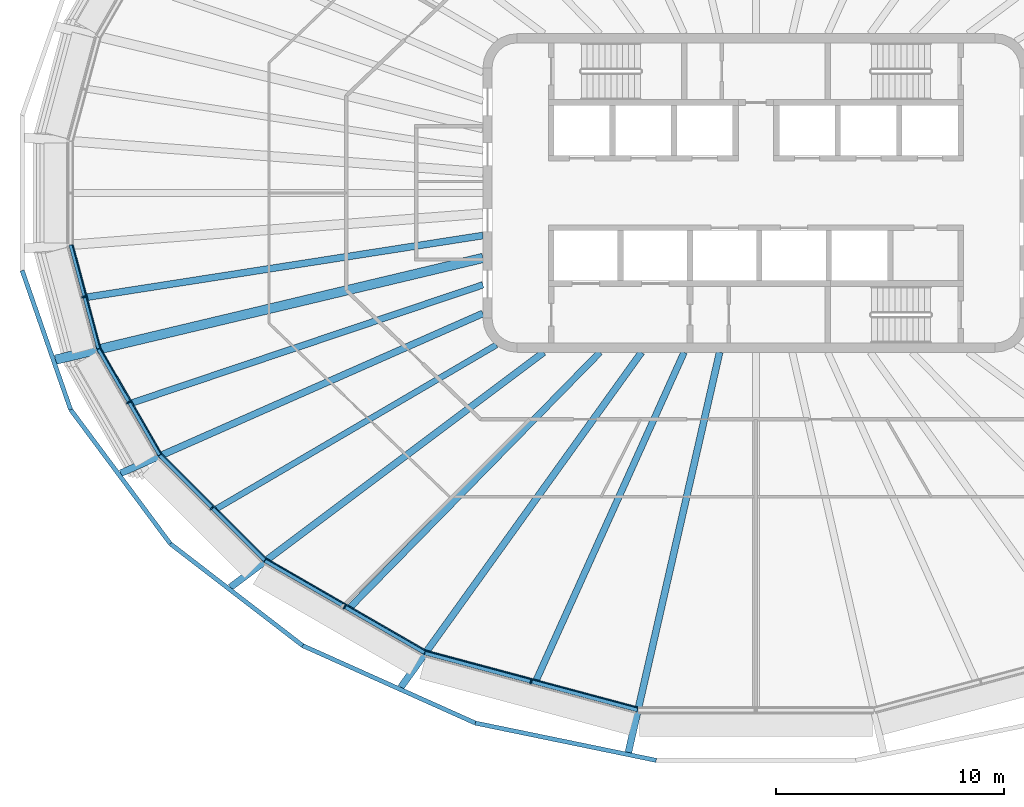
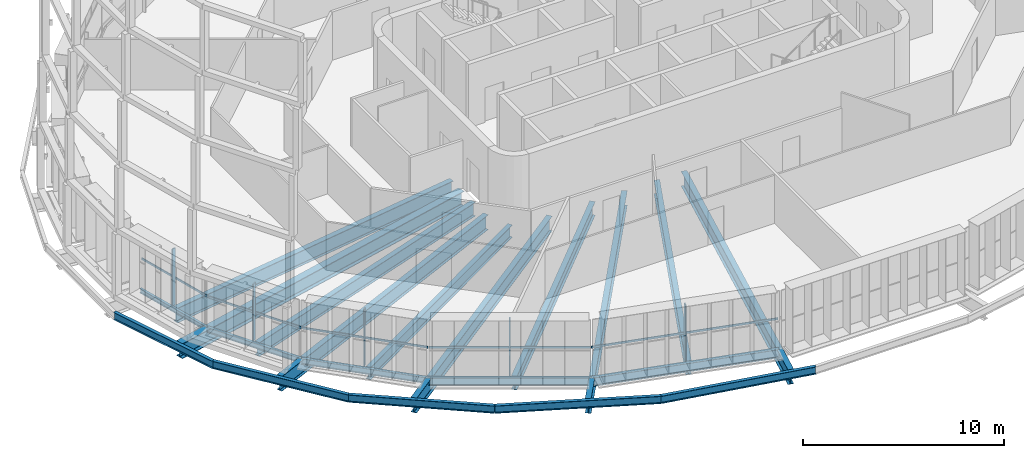
# One storey, part 1 of 21: 20 beams, 10 members, 5 elements without a shape of their own.
"""IFC4 building model written with IfcOpenShell, lengths in metres."""

import ifcopenshell
import ifcopenshell.guid

model = None  # the IFC model being written
_history = None  # IfcOwnerHistory: only IFC2X3 demands one
_inside = {}  # id of a spatial element -> (the spatial element, [elements in it])
_under = {}  # id of a project, library or spatial element -> (it, [spatial elements below it])
_declared = {}  # id of a project -> (the project, [libraries it declares])
_typed = {}  # id of a type object -> (the type object, [elements of that type])
_made_of = {}  # id of a material, layer set ... -> (it, [elements and type objects made of it])


def new_model(schema):
    """Start an empty IFC model of exactly this schema.

    Asked for "IFC4X3", IfcOpenShell would pick the latest addendum, in which some entities
    have other attributes; the version numbers below select the first issue.
    IFC2X3 requires an IfcOwnerHistory on every rooted entity: one is made here for all.
    """
    global model, _history
    if schema == "IFC4X3":
        model = ifcopenshell.file(schema_version=(4, 3, 0, 0))
    else:
        model = ifcopenshell.file(schema=schema)
    _inside.clear()
    _under.clear()
    _declared.clear()
    _typed.clear()
    _made_of.clear()
    _history = None
    if model.schema == "IFC2X3":
        org = make("IfcOrganization", Name="unknown")
        user = make(
            "IfcPersonAndOrganization",
            ThePerson=make("IfcPerson", FamilyName="unknown"),
            TheOrganization=org,
        )
        app = make(
            "IfcApplication",
            ApplicationDeveloper=org,
            Version="unknown",
            ApplicationFullName="unknown",
            ApplicationIdentifier="unknown",
        )
        _history = make(
            "IfcOwnerHistory",
            OwningUser=user,
            OwningApplication=app,
            ChangeAction="ADDED",
            CreationDate=0,
        )
    return model


def make(cls, **values):
    """One entity of the class cls with the attributes given. An attribute that is None is left unset."""
    return model.create_entity(
        cls, **{name: value for name, value in values.items() if value is not None}
    )


def rooted(cls, **values):
    """An entity with a GlobalId (a new one), such as an element, a storey or a relation."""
    return make(cls, GlobalId=ifcopenshell.guid.new(), OwnerHistory=_history, **values)


def si_unit(unit_type, name, prefix=None):
    """IfcSIUnit, for example si_unit("LENGTHUNIT", "METRE", prefix="MILLI")."""
    return make("IfcSIUnit", UnitType=unit_type, Prefix=prefix, Name=name)


def assignment(units):
    """IfcUnitAssignment: the units of a project."""
    return None if units is None else make("IfcUnitAssignment", Units=units)


def point(xyz):
    """IfcCartesianPoint."""
    return None if xyz is None else make("IfcCartesianPoint", Coordinates=xyz)


def direction(xyz):
    """IfcDirection."""
    return None if xyz is None else make("IfcDirection", DirectionRatios=xyz)


def frame(location, z_axis=None, x_axis=None):
    """IfcAxis2Placement3D, a coordinate frame: its origin and axes. An axis left out is left unset."""
    return make(
        "IfcAxis2Placement3D",
        Location=point(location),
        Axis=direction(z_axis),
        RefDirection=direction(x_axis),
    )


def frame_2d(location, x_axis=None):
    """IfcAxis2Placement2D, a coordinate frame in the plane: its origin and x axis."""
    return make(
        "IfcAxis2Placement2D", Location=point(location), RefDirection=direction(x_axis)
    )


def origin():
    """The frame at (0, 0, 0) with its axes left unset."""
    return frame((0.0, 0.0, 0.0))


def origin_2d():
    """The frame at (0, 0) in the plane with its x axis left unset."""
    return frame_2d((0.0, 0.0))


def place(relative_to, where):
    """IfcLocalPlacement: puts the frame where relative to a parent placement (None: the world)."""
    return make(
        "IfcLocalPlacement", PlacementRelTo=relative_to, RelativePlacement=where
    )


def context(
    kind, dimensions, precision=None, world=None, true_north=None, identifier=None
):
    """IfcGeometricRepresentationContext, for example the 3D "Model" context."""
    return make(
        "IfcGeometricRepresentationContext",
        ContextIdentifier=identifier,
        ContextType=kind,
        CoordinateSpaceDimension=dimensions,
        Precision=precision,
        WorldCoordinateSystem=world,
        TrueNorth=true_north,
    )


def subcontext(parent, identifier, kind, view, scale=None):
    """IfcGeometricRepresentationSubContext, for example "Body" below "Model"."""
    return make(
        "IfcGeometricRepresentationSubContext",
        ContextIdentifier=identifier,
        ContextType=kind,
        ParentContext=parent,
        TargetScale=scale,
        TargetView=view,
    )


def project(units=None, contexts=None):
    """IfcProject with its units and contexts."""
    return rooted(
        "IfcProject",
        Name="project",
        RepresentationContexts=contexts,
        UnitsInContext=assignment(units),
    )


def spatial(cls, under=None, at=None, **own):
    """A site, building, storey or space (cls), placed at a placement, below another one or the project."""
    s = rooted(cls, ObjectPlacement=at, **own)
    if under is not None:
        _under.setdefault(under.id(), (under, []))[1].append(s)
    return s


def profile(cls, at=None, kind="AREA", **sizes):
    """A parametric profile (cls). Its sizes go by their IFC names, for example OverallWidth=200.0."""
    return make(cls, ProfileType=kind, Position=at, **sizes)


def rectangle(**sizes):
    """IfcRectangleProfileDef."""
    return profile("IfcRectangleProfileDef", **sizes)


def i_section(**sizes):
    """IfcIShapeProfileDef."""
    return profile("IfcIShapeProfileDef", **sizes)


def extrude(swept, where, along, depth):
    """IfcExtrudedAreaSolid: the profile swept, set in the frame where, extruded along a direction by depth."""
    return make(
        "IfcExtrudedAreaSolid",
        SweptArea=swept,
        Position=where,
        ExtrudedDirection=direction(along),
        Depth=depth,
    )


def shape(context_of_items, identifier, shape_type, items):
    """IfcShapeRepresentation: the items that make up one representation, for example the "Body"."""
    return make(
        "IfcShapeRepresentation",
        ContextOfItems=context_of_items,
        RepresentationIdentifier=identifier,
        RepresentationType=shape_type,
        Items=items,
    )


def material(Name=None, Category=None):
    """IfcMaterial."""
    return make("IfcMaterial", Name=Name, Category=Category)


def layer(
    of_material, thickness, ventilated=None, Name=None, Category=None, Priority=None
):
    """IfcMaterialLayer: one layer of a wall or slab, of a material (None: an air gap)."""
    return make(
        "IfcMaterialLayer",
        Material=of_material,
        LayerThickness=thickness,
        IsVentilated=ventilated,
        Name=Name,
        Category=Category,
        Priority=Priority,
    )


def layer_set(layers, Name=None):
    """IfcMaterialLayerSet."""
    return make("IfcMaterialLayerSet", MaterialLayers=layers, LayerSetName=Name)


def material_profile(
    of_material, cross_section, Name=None, Category=None, Priority=None
):
    """IfcMaterialProfile: a cross section and its material."""
    return make(
        "IfcMaterialProfile",
        Name=Name,
        Material=of_material,
        Profile=cross_section,
        Priority=Priority,
        Category=Category,
    )


def profile_set(profiles, Name=None, composite=None):
    """IfcMaterialProfileSet."""
    return make(
        "IfcMaterialProfileSet",
        Name=Name,
        MaterialProfiles=profiles,
        CompositeProfile=composite,
    )


def made_of(thing, what):
    """Note that an element or type object is made of a material, layer set ...; save() writes the relation."""
    if what is not None:
        _made_of.setdefault(what.id(), (what, []))[1].append(thing)
    return thing


def type_object(cls, material=None, **own):
    """A type object (cls), such as IfcWallType, which elements share."""
    return made_of(rooted(cls, **own), material)


def element(
    cls,
    number,
    at=None,
    inside=None,
    cuts=None,
    type_object=None,
    material=None,
    context=None,
    identifier="Body",
    shape_type=None,
    held_by="IfcProductDefinitionShape",
    body=None,
    shapes=None,
    **own,
):
    """One element of the class cls, such as IfcWall. Its Tag is "e" and its number.

    at: its placement. inside: the storey or other place that contains it. cuts: it is an
    opening in that element (IfcRelVoidsElement). A single representation is given by context,
    identifier, shape_type and body (its items); several are given by shapes. held_by: the class
    of the entity that holds the representations. save() writes the other relations.
    """
    e = rooted(cls, Tag="e%d" % number, ObjectPlacement=at, **own)
    if body is not None:
        shapes = [shape(context, identifier, shape_type, body)]
    if shapes is not None:
        e.Representation = make(held_by, Representations=shapes)
    if inside is not None:
        _inside.setdefault(inside.id(), (inside, []))[1].append(e)
    if cuts is not None:
        rooted(
            "IfcRelVoidsElement", RelatingBuildingElement=cuts, RelatedOpeningElement=e
        )
    if type_object is not None:
        _typed.setdefault(type_object.id(), (type_object, []))[1].append(e)
    return made_of(e, material)


def aggregate(whole, parts):
    """IfcRelAggregates: a whole, such as a stair, and the parts it consists of."""
    return rooted("IfcRelAggregates", RelatingObject=whole, RelatedObjects=parts)


def save(model, path):
    """Write the relations noted so far, then the file.

    IfcRelAggregates (storeys below a building ...), IfcRelContainedInSpatialStructure (elements
    in a storey), IfcRelDefinesByType, IfcRelAssociatesMaterial and IfcRelDeclares: one each for
    every whole, place, type object, material and project.
    """
    for whole, parts in _under.values():
        aggregate(whole, parts)
    for where, things in _inside.values():
        rooted(
            "IfcRelContainedInSpatialStructure",
            RelatedElements=things,
            RelatingStructure=where,
        )
    for kind, things in _typed.values():
        rooted("IfcRelDefinesByType", RelatedObjects=things, RelatingType=kind)
    for what, things in _made_of.values():
        rooted("IfcRelAssociatesMaterial", RelatedObjects=things, RelatingMaterial=what)
    for by, libraries in _declared.values():
        rooted("IfcRelDeclares", RelatingContext=by, RelatedDefinitions=libraries)
    model.write(path)


model = new_model("IFC4")

# Units and contexts
model_context = context("Model", 3, precision=1e-05, world=origin(), true_north=direction((0.0, 1.0)))
body_context = subcontext(model_context, "Body", "Model", "MODEL_VIEW")
ifc_project = project(units=[si_unit("LENGTHUNIT", "METRE"), si_unit("AREAUNIT", "SQUARE_METRE"), si_unit("VOLUMEUNIT", "CUBIC_METRE"), si_unit("PLANEANGLEUNIT", "RADIAN"), si_unit("MASSUNIT", "GRAM", prefix="KILO")], contexts=[model_context])

# Site, building, storey
site_placement = place(None, origin())
site = spatial("IfcSite", under=ifc_project, at=site_placement, CompositionType="ELEMENT")
building_placement = place(site_placement, origin())
building = spatial("IfcBuilding", under=site, at=building_placement, Name="Sahrelin Media Tower", CompositionType="ELEMENT")
storey_placement = place(building_placement, frame((0.0, 0.0, 259.0)))
storey = spatial("IfcBuildingStorey", under=building, at=storey_placement, Name="L56", CompositionType="ELEMENT", Elevation=259.0)

# Beams
ifc_material_1 = material(Name="Steel S355", Category="steel")
ifc_material_profile_1 = material_profile(ifc_material_1, i_section(OverallWidth=0.14599609375, OverallDepth=0.25146484375, WebThickness=0.006103515625, FlangeThickness=0.008544921875, FilletRadius=0.007568359375, at=origin_2d()), Name="UB 254x146x31")
ifc_profile_set_1 = profile_set([ifc_material_profile_1], Name="Steel S355")
beam_type_1 = type_object("IfcBeamType", Name="Edge beam EB1", PredefinedType="BEAM", material=ifc_profile_set_1)
beam_1_placement = place(storey_placement, frame((-28.9013671875, -6.837890625, -0.275634765625), z_axis=(-0.25877749363, 0.965936959015, 0.0), x_axis=(-0.965936959015, -0.25877749363, 0.0)))
element("IfcBeam", 1, at=beam_1_placement, inside=storey, type_object=beam_type_1, Name="Edge beam L56-12", PredefinedType="BEAM", context=body_context, shape_type="SweptSolid", body=[
    extrude(i_section(OverallWidth=0.14599609375, OverallDepth=0.25146484375, WebThickness=0.006103515625, FlangeThickness=0.008544921875, FilletRadius=0.007568359375, at=origin_2d()), origin(), (0.0, 0.0, 1.0), 4.71533203125),
])
ifc_material_profile_2 = material_profile(ifc_material_1, i_section(OverallWidth=0.1650390625, OverallDepth=0.303466796875, WebThickness=0.006103515625, FlangeThickness=0.01025390625, FilletRadius=0.0087890625, at=origin_2d()), Name="UB 305x165x40")
ifc_profile_set_2 = profile_set([ifc_material_profile_2], Name="Steel S355")
beam_type_2 = type_object("IfcBeamType", Name="Edge beam EB2", PredefinedType="BEAM", material=ifc_profile_set_2)
beam_2_placement = place(storey_placement, frame((-26.208984375, -11.508544921875, -0.3017578125), z_axis=(-0.500021961316, 0.866012724042, 0.0), x_axis=(-0.866012724042, -0.500021961316, 0.0)))
element("IfcBeam", 2, at=beam_2_placement, inside=storey, type_object=beam_type_2, Name="Edge beam L56-11", PredefinedType="BEAM", context=body_context, shape_type="SweptSolid", body=[
    extrude(i_section(OverallWidth=0.1650390625, OverallDepth=0.303466796875, WebThickness=0.006103515625, FlangeThickness=0.01025390625, FilletRadius=0.0087890625, at=origin_2d()), origin(), (0.0, 0.0, 1.0), 5.362548828125),
])
ifc_material_profile_3 = material_profile(ifc_material_1, i_section(OverallWidth=0.17138671875, OverallDepth=0.35498046875, WebThickness=0.00732421875, FlangeThickness=0.011474609375, FilletRadius=0.01025390625, at=origin_2d()), Name="UB 356x171x51")
ifc_profile_set_3 = profile_set([ifc_material_profile_3], Name="Steel S355")
beam_type_3 = type_object("IfcBeamType", Name="Edge beam EB3", PredefinedType="BEAM", material=ifc_profile_set_3)
beam_3_placement = place(storey_placement, frame((-21.59130859375, -16.131591796875, -0.327392578125), z_axis=(-0.707106781187, 0.707106781187, 0.0), x_axis=(-0.707106781187, -0.707106781187, 0.0)))
element("IfcBeam", 3, at=beam_3_placement, inside=storey, type_object=beam_type_3, Name="Edge beam L56-10", PredefinedType="BEAM", context=body_context, shape_type="SweptSolid", body=[
    extrude(i_section(OverallWidth=0.17138671875, OverallDepth=0.35498046875, WebThickness=0.00732421875, FlangeThickness=0.011474609375, FilletRadius=0.01025390625, at=origin_2d()), origin(), (0.0, 0.0, 1.0), 6.505615234375),
])
ifc_material_profile_4 = material_profile(ifc_material_1, i_section(OverallWidth=0.1904296875, OverallDepth=0.45703125, WebThickness=0.009033203125, FlangeThickness=0.014404296875, FilletRadius=0.01025390625, at=origin_2d()), Name="UB 457x191x74")
ifc_profile_set_4 = profile_set([ifc_material_profile_4], Name="Steel S355")
beam_type_4 = type_object("IfcBeamType", Name="Edge beam EB5", PredefinedType="BEAM", material=ifc_profile_set_4)
beam_4_placement = place(storey_placement, frame((-14.565673828125, -20.1923828125, -0.37841796875), z_axis=(-0.866014130978, 0.500019524566, 0.0), x_axis=(-0.500019524566, -0.866014130978, 0.0)))
element("IfcBeam", 4, at=beam_4_placement, inside=storey, type_object=beam_type_4, Name="Edge beam L56-09", PredefinedType="BEAM", context=body_context, shape_type="SweptSolid", body=[
    extrude(i_section(OverallWidth=0.1904296875, OverallDepth=0.45703125, WebThickness=0.009033203125, FlangeThickness=0.014404296875, FilletRadius=0.01025390625, at=origin_2d()), origin(), (0.0, 0.0, 1.0), 8.086181640625),
])
ifc_material_profile_5 = material_profile(ifc_material_1, i_section(OverallWidth=0.208740234375, OverallDepth=0.5283203125, WebThickness=0.009521484375, FlangeThickness=0.01318359375, FilletRadius=0.0126953125, at=origin_2d()), Name="UB 533x210x82")
ifc_profile_set_5 = profile_set([ifc_material_profile_5], Name="Steel S355")
beam_type_5 = type_object("IfcBeamType", Name="Edge beam EB6", PredefinedType="BEAM", material=ifc_profile_set_5)
beam_5_placement = place(storey_placement, frame((-5.20751953125, -22.70361328125, -0.4140625), z_axis=(-0.96592932652, 0.258805981709, 0.0), x_axis=(-0.258805981709, -0.96592932652, 0.0)))
element("IfcBeam", 5, at=beam_5_placement, inside=storey, type_object=beam_type_5, Name="Edge beam L56-08", PredefinedType="BEAM", context=body_context, shape_type="SweptSolid", body=[
    extrude(i_section(OverallWidth=0.208740234375, OverallDepth=0.5283203125, WebThickness=0.009521484375, FlangeThickness=0.01318359375, FilletRadius=0.0126953125, at=origin_2d()), origin(), (0.0, 0.0, 1.0), 9.66064453125),
])

# Curtain wall, member
ifc_material_2 = material(Name="Champagne anodised aluminium 6063-T6", Category="aluminium")
ifc_layer = layer(ifc_material_2, 0.14990234375)
ifc_layer_set = layer_set([ifc_layer], Name="Tower ribbon curtain wall")
curtain_wall_type = type_object("IfcCurtainWallType", Name="Tower ribbon curtain wall", PredefinedType="NOTDEFINED", material=ifc_layer_set)
curtain_wall_1_placement = place(storey_placement, frame((-29.656494140625, -4.599365234375, 0.0), z_axis=(0.0, 0.0, 1.0), x_axis=(1.0, 0.0, 0.0)))
curtain_wall_1 = element("IfcCurtainWall", 6, at=curtain_wall_1_placement, inside=storey, type_object=curtain_wall_type, Name="L56:CW:L56-13", PredefinedType="NOTDEFINED")
ifc_material_profile_6 = material_profile(ifc_material_2, rectangle(XDim=0.06005859375, YDim=0.199951171875, at=origin_2d()), Name="Mullion 60x200")
ifc_profile_set_6 = profile_set([ifc_material_profile_6], Name="Champagne anodised aluminium 6063-T6")
member_type_1 = type_object("IfcMemberType", Name="Mullion 60x200 CW1C", PredefinedType="MULLION", material=ifc_profile_set_6)
member_1_placement = place(storey_placement, frame((-29.54052734375, -4.568115234375, 0.0), z_axis=(0.0, 0.0, 1.0), x_axis=(0.258805558208, -0.965929439991, 0.0)))
member_1 = element("IfcMember", 7, at=member_1_placement, type_object=member_type_1, Name="L56:CWM:L56-13", PredefinedType="MULLION", context=body_context, shape_type="SweptSolid", body=[
    extrude(rectangle(XDim=0.06005859375, YDim=0.199951171875, at=origin_2d()), origin(), (0.0, 0.0, 1.0), 3.448486328125),
])

curtain_wall_2_placement = place(storey_placement, frame((-27.679443359375, -9.261474609375, 0.0), z_axis=(0.0, 0.0, 1.0), x_axis=(1.0, 0.0, 0.0)))
curtain_wall_2 = element("IfcCurtainWall", 8, at=curtain_wall_2_placement, inside=storey, type_object=curtain_wall_type, Name="L56:CW:L56-14", PredefinedType="NOTDEFINED")
member_2_placement = place(storey_placement, frame((-27.57568359375, -9.201416015625, 0.0), z_axis=(0.0, 0.0, 1.0), x_axis=(0.500010580459, -0.866019295067, 0.0)))
member_2 = element("IfcMember", 9, at=member_2_placement, type_object=member_type_1, Name="L56:CWM:L56-14", PredefinedType="MULLION", context=body_context, shape_type="SweptSolid", body=[
    extrude(rectangle(XDim=0.06005859375, YDim=0.199951171875, at=origin_2d()), origin(), (0.0, 0.0, 1.0), 3.448486328125),
])

curtain_wall_3_placement = place(storey_placement, frame((-23.997314453125, -13.9375, 0.0), z_axis=(0.0, 0.0, 1.0), x_axis=(1.0, 0.0, 0.0)))
curtain_wall_3 = element("IfcCurtainWall", 10, at=curtain_wall_3_placement, inside=storey, type_object=curtain_wall_type, Name="L56:CW:L56-15", PredefinedType="NOTDEFINED")
member_3_placement = place(storey_placement, frame((-23.91259765625, -13.852783203125, 0.0), z_axis=(0.0, 0.0, 1.0), x_axis=(0.707106781187, -0.707106781187, 0.0)))
member_3 = element("IfcMember", 11, at=member_3_placement, type_object=member_type_1, Name="L56:CWM:L56-15", PredefinedType="MULLION", context=body_context, shape_type="SweptSolid", body=[
    extrude(rectangle(XDim=0.06005859375, YDim=0.199951171875, at=origin_2d()), origin(), (0.0, 0.0, 1.0), 3.448486328125),
])

curtain_wall_4_placement = place(storey_placement, frame((-18.14208984375, -18.300537109375, 0.0), z_axis=(0.0, 0.0, 1.0), x_axis=(1.0, 0.0, 0.0)))
curtain_wall_4 = element("IfcCurtainWall", 12, at=curtain_wall_4_placement, inside=storey, type_object=curtain_wall_type, Name="L56:CW:L56-16", PredefinedType="NOTDEFINED")
member_4_placement = place(storey_placement, frame((-18.08203125, -18.19677734375, 0.0), z_axis=(0.0, 0.0, 1.0), x_axis=(0.866020167749, -0.500009068969, 0.0)))
member_4 = element("IfcMember", 13, at=member_4_placement, type_object=member_type_1, Name="L56:CWM:L56-16", PredefinedType="MULLION", context=body_context, shape_type="SweptSolid", body=[
    extrude(rectangle(XDim=0.06005859375, YDim=0.199951171875, at=origin_2d()), origin(), (0.0, 0.0, 1.0), 3.448486328125),
])

curtain_wall_5_placement = place(storey_placement, frame((-9.912109375, -21.598388671875, 0.0), z_axis=(0.0, 0.0, 1.0), x_axis=(1.0, 0.0, 0.0)))
curtain_wall_5 = element("IfcCurtainWall", 14, at=curtain_wall_5_placement, inside=storey, type_object=curtain_wall_type, Name="L56:CW:L56-17", PredefinedType="NOTDEFINED")
member_5_placement = place(storey_placement, frame((-9.881103515625, -21.482421875, 0.0), z_axis=(0.0, 0.0, 1.0), x_axis=(0.965926729732, -0.258815673384, 0.0)))
member_5 = element("IfcMember", 15, at=member_5_placement, type_object=member_type_1, Name="L56:CWM:L56-17", PredefinedType="MULLION", context=body_context, shape_type="SweptSolid", body=[
    extrude(rectangle(XDim=0.06005859375, YDim=0.199951171875, at=origin_2d()), origin(), (0.0, 0.0, 1.0), 3.448486328125),
])

# Beams
ifc_material_profile_7 = material_profile(ifc_material_1, i_section(OverallWidth=0.30322265625, OverallDepth=0.903076171875, WebThickness=0.01513671875, FlangeThickness=0.020263671875, FilletRadius=0.01904296875, at=origin_2d()), Name="UB 914x305x201")
ifc_profile_set_7 = profile_set([ifc_material_profile_7], Name="Steel S355")
beam_type_6 = type_object("IfcBeamType", Name="Radial primary beam PB11", PredefinedType="BEAM", material=ifc_profile_set_7)
beam_6_placement = place(storey_placement, frame((-12.0, -5.29443359375, -0.6015625), z_axis=(-0.914908048248, -0.40366231339, 0.0), x_axis=(0.40366231339, -0.914908048248, 0.0)))
element("IfcBeam", 16, at=beam_6_placement, inside=storey, type_object=beam_type_6, Name="Radial beam L56-15", PredefinedType="BEAM", context=body_context, shape_type="SweptSolid", body=[
    extrude(i_section(OverallWidth=0.30322265625, OverallDepth=0.903076171875, WebThickness=0.01513671875, FlangeThickness=0.020263671875, FilletRadius=0.01904296875, at=origin_2d()), origin(), (0.0, 0.0, 1.0), 17.401123046875),
])
beam_7_placement = place(storey_placement, frame((-9.329345703125, -7.0, -0.6015625), z_axis=(-0.799874013489, -0.600167945283, 0.0), x_axis=(0.600167945283, -0.799874013489, 0.0)))
element("IfcBeam", 17, at=beam_7_placement, inside=storey, type_object=beam_type_6, Name="Radial beam L56-16", PredefinedType="BEAM", context=body_context, shape_type="SweptSolid", body=[
    extrude(i_section(OverallWidth=0.30322265625, OverallDepth=0.903076171875, WebThickness=0.01513671875, FlangeThickness=0.020263671875, FilletRadius=0.01904296875, at=origin_2d()), origin(), (0.0, 0.0, 1.0), 17.21044921875),
])
beam_8_placement = place(storey_placement, frame((-5.028564453125, -7.0, -0.6015625), z_axis=(-0.583430968155, -0.812162733322, 0.0), x_axis=(0.812162733322, -0.583430968155, 0.0)))
element("IfcBeam", 18, at=beam_8_placement, inside=storey, type_object=beam_type_6, Name="Radial beam L56-17", PredefinedType="BEAM", context=body_context, shape_type="SweptSolid", body=[
    extrude(i_section(OverallWidth=0.30322265625, OverallDepth=0.903076171875, WebThickness=0.01513671875, FlangeThickness=0.020263671875, FilletRadius=0.01904296875, at=origin_2d()), origin(), (0.0, 0.0, 1.0), 18.129150390625),
])
beam_9_placement = place(storey_placement, frame((-1.596435546875, -7.0, -0.6015625), z_axis=(-0.222372750687, -0.974961722198, 0.0), x_axis=(0.974961722198, -0.222372750687, 0.0)))
element("IfcBeam", 19, at=beam_9_placement, inside=storey, type_object=beam_type_6, Name="Radial beam L56-18", PredefinedType="BEAM", context=body_context, shape_type="SweptSolid", body=[
    extrude(i_section(OverallWidth=0.30322265625, OverallDepth=0.903076171875, WebThickness=0.01513671875, FlangeThickness=0.020263671875, FilletRadius=0.01904296875, at=origin_2d()), origin(), (0.0, 0.0, 1.0), 18.038330078125),
])
ifc_material_profile_8 = material_profile(ifc_material_1, i_section(OverallWidth=0.41845703125, OverallDepth=0.911865234375, WebThickness=0.019287109375, FlangeThickness=0.031982421875, FilletRadius=0.024169921875, at=origin_2d()), Name="UB 914x419x343")
ifc_profile_set_8 = profile_set([ifc_material_profile_8], Name="Steel S355")
beam_type_7 = type_object("IfcBeamType", Name="Radial primary beam PB12", PredefinedType="BEAM", material=ifc_profile_set_8)
beam_10_placement = place(storey_placement, frame((-12.0, -2.85546875, -0.60595703125), z_axis=(-0.972837139941, -0.231490602728, 0.0), x_axis=(0.231490602728, -0.972837139941, 0.0)))
element("IfcBeam", 20, at=beam_10_placement, inside=storey, type_object=beam_type_7, Name="Radial beam L56-14", PredefinedType="BEAM", context=body_context, shape_type="SweptSolid", body=[
    extrude(i_section(OverallWidth=0.41845703125, OverallDepth=0.911865234375, WebThickness=0.019287109375, FlangeThickness=0.031982421875, FilletRadius=0.024169921875, at=origin_2d()), origin(), (0.0, 0.0, 1.0), 19.307373046875),
])
ifc_material_profile_9 = material_profile(ifc_material_1, i_section(OverallWidth=0.291748046875, OverallDepth=0.8349609375, WebThickness=0.013916015625, FlangeThickness=0.018798828125, FilletRadius=0.017822265625, at=origin_2d()), Name="UB 838x292x176")
ifc_profile_set_9 = profile_set([ifc_material_profile_9], Name="Steel S355")
beam_type_8 = type_object("IfcBeamType", Name="Radial secondary beam SB10", PredefinedType="BEAM", material=ifc_profile_set_9)
beam_11_placement = place(storey_placement, frame((-12.0, -4.03759765625, -0.5673828125), z_axis=(-0.947791754359, -0.318889934568, 0.0), x_axis=(0.318889934568, -0.947791754359, 0.0)))
element("IfcBeam", 21, at=beam_11_placement, inside=storey, type_object=beam_type_8, Name="Secondary beam L56-14", PredefinedType="BEAM", context=body_context, shape_type="SweptSolid", body=[
    extrude(i_section(OverallWidth=0.291748046875, OverallDepth=0.8349609375, WebThickness=0.013916015625, FlangeThickness=0.018798828125, FilletRadius=0.017822265625, at=origin_2d()), origin(), (0.0, 0.0, 1.0), 16.279541015625),
])
beam_12_placement = place(storey_placement, frame((-6.856201171875, -7.0, -0.5673828125), z_axis=(-0.699725987654, -0.714411325639, 0.0), x_axis=(0.714411325639, -0.699725987654, 0.0)))
element("IfcBeam", 22, at=beam_12_placement, inside=storey, type_object=beam_type_8, Name="Secondary beam L56-16", PredefinedType="BEAM", context=body_context, shape_type="SweptSolid", body=[
    extrude(i_section(OverallWidth=0.291748046875, OverallDepth=0.8349609375, WebThickness=0.013916015625, FlangeThickness=0.018798828125, FilletRadius=0.017822265625, at=origin_2d()), origin(), (0.0, 0.0, 1.0), 15.67724609375),
])
beam_13_placement = place(storey_placement, frame((-3.15625, -7.0, -0.5673828125), z_axis=(-0.41103398842, -0.911620019725, 0.0), x_axis=(0.911620019725, -0.41103398842, 0.0)))
element("IfcBeam", 23, at=beam_13_placement, inside=storey, type_object=beam_type_8, Name="Secondary beam L56-17", PredefinedType="BEAM", context=body_context, shape_type="SweptSolid", body=[
    extrude(i_section(OverallWidth=0.291748046875, OverallDepth=0.8349609375, WebThickness=0.013916015625, FlangeThickness=0.018798828125, FilletRadius=0.017822265625, at=origin_2d()), origin(), (0.0, 0.0, 1.0), 15.80126953125),
])
ifc_material_profile_10 = material_profile(ifc_material_1, i_section(OverallWidth=0.30322265625, OverallDepth=0.903076171875, WebThickness=0.01513671875, FlangeThickness=0.020263671875, FilletRadius=0.01904296875, at=origin_2d()), Name="UB 914x305x201")
ifc_profile_set_10 = profile_set([ifc_material_profile_10], Name="Steel S355")
beam_type_9 = type_object("IfcBeamType", Name="Radial secondary beam SB11", PredefinedType="BEAM", material=ifc_profile_set_10)
beam_14_placement = place(storey_placement, frame((-12.0, -1.869384765625, -0.6015625), z_axis=(-0.988083373151, -0.153919614417, 0.0), x_axis=(0.153919614417, -0.988083373151, 0.0)))
element("IfcBeam", 24, at=beam_14_placement, inside=storey, type_object=beam_type_9, Name="Secondary beam L56-13", PredefinedType="BEAM", context=body_context, shape_type="SweptSolid", body=[
    extrude(i_section(OverallWidth=0.30322265625, OverallDepth=0.903076171875, WebThickness=0.01513671875, FlangeThickness=0.020263671875, FilletRadius=0.01904296875, at=origin_2d()), origin(), (0.0, 0.0, 1.0), 17.6396484375),
])
ifc_material_profile_11 = material_profile(ifc_material_1, i_section(OverallWidth=0.26513671875, OverallDepth=0.75390625, WebThickness=0.0126953125, FlangeThickness=0.017578125, FilletRadius=0.0166015625, at=origin_2d()), Name="UB 762x267x147")
ifc_profile_set_11 = profile_set([ifc_material_profile_11], Name="Steel S355")
beam_type_10 = type_object("IfcBeamType", Name="Radial secondary beam SB9", PredefinedType="BEAM", material=ifc_profile_set_11)
beam_15_placement = place(storey_placement, frame((-11.40771484375, -6.677978515625, -0.527099609375), z_axis=(-0.863005004974, -0.505195369525, 0.0), x_axis=(0.505195369525, -0.863005004974, 0.0)))
element("IfcBeam", 25, at=beam_15_placement, inside=storey, type_object=beam_type_10, Name="Secondary beam L56-15", PredefinedType="BEAM", context=body_context, shape_type="SweptSolid", body=[
    extrude(i_section(OverallWidth=0.26513671875, OverallDepth=0.75390625, WebThickness=0.0126953125, FlangeThickness=0.017578125, FilletRadius=0.0166015625, at=origin_2d()), origin(), (0.0, 0.0, 1.0), 14.263916015625),
])
ifc_material_profile_12 = material_profile(ifc_material_1, i_section(OverallWidth=0.1904296875, OverallDepth=0.45703125, WebThickness=0.009033203125, FlangeThickness=0.014404296875, FilletRadius=0.01025390625, at=origin_2d()), Name="UB 457x191x74")
ifc_profile_set_12 = profile_set([ifc_material_profile_12], Name="Steel S355")
beam_type_11 = type_object("IfcBeamType", Name="Tie chord TC5", PredefinedType="BEAM", material=ifc_profile_set_12)
beam_16_placement = place(storey_placement, frame((-32.24853515625, -3.404541015625, -0.37841796875), z_axis=(0.328777991124, -0.944407238723, 0.0), x_axis=(0.944407238723, 0.328777991124, 0.0)))
element("IfcBeam", 26, at=beam_16_placement, inside=storey, type_object=beam_type_11, Name="Tie chord L56-13", PredefinedType="BEAM", context=body_context, shape_type="SweptSolid", body=[
    extrude(i_section(OverallWidth=0.1904296875, OverallDepth=0.45703125, WebThickness=0.009033203125, FlangeThickness=0.014404296875, FilletRadius=0.01025390625, at=origin_2d()), origin(), (0.0, 0.0, 1.0), 6.47509765625),
])
beam_17_placement = place(storey_placement, frame((-30.11962890625, -9.519775390625, -0.37841796875), z_axis=(0.59655461982, -0.802572479949, 0.0), x_axis=(0.802572479949, 0.59655461982, 0.0)))
element("IfcBeam", 27, at=beam_17_placement, inside=storey, type_object=beam_type_11, Name="Tie chord L56-14", PredefinedType="BEAM", context=body_context, shape_type="SweptSolid", body=[
    extrude(i_section(OverallWidth=0.1904296875, OverallDepth=0.45703125, WebThickness=0.009033203125, FlangeThickness=0.014404296875, FilletRadius=0.01025390625, at=origin_2d()), origin(), (0.0, 0.0, 1.0), 7.34716796875),
])
beam_18_placement = place(storey_placement, frame((-25.736572265625, -15.41650390625, -0.37841796875), z_axis=(0.792449605953, -0.609937391889, 0.0), x_axis=(0.609937391889, 0.792449605953, 0.0)))
element("IfcBeam", 28, at=beam_18_placement, inside=storey, type_object=beam_type_11, Name="Tie chord L56-15", PredefinedType="BEAM", context=body_context, shape_type="SweptSolid", body=[
    extrude(i_section(OverallWidth=0.1904296875, OverallDepth=0.45703125, WebThickness=0.009033203125, FlangeThickness=0.014404296875, FilletRadius=0.01025390625, at=origin_2d()), origin(), (0.0, 0.0, 1.0), 7.33984375),
])
beam_19_placement = place(storey_placement, frame((-19.920166015625, -19.893310546875, -0.37841796875), z_axis=(0.91245001882, -0.409188175728, 0.0), x_axis=(0.409188175728, 0.91245001882, 0.0)))
element("IfcBeam", 29, at=beam_19_placement, inside=storey, type_object=beam_type_11, Name="Tie chord L56-16", PredefinedType="BEAM", context=body_context, shape_type="SweptSolid", body=[
    extrude(i_section(OverallWidth=0.1904296875, OverallDepth=0.45703125, WebThickness=0.009033203125, FlangeThickness=0.014404296875, FilletRadius=0.01025390625, at=origin_2d()), origin(), (0.0, 0.0, 1.0), 8.3203125),
])
beam_20_placement = place(storey_placement, frame((-12.328369140625, -23.2978515625, -0.37841796875), z_axis=(0.979391781368, -0.20196964769, 0.0), x_axis=(0.20196964769, 0.979391781368, 0.0)))
element("IfcBeam", 30, at=beam_20_placement, inside=storey, type_object=beam_type_11, Name="Tie chord L56-17", PredefinedType="BEAM", context=body_context, shape_type="SweptSolid", body=[
    extrude(i_section(OverallWidth=0.1904296875, OverallDepth=0.45703125, WebThickness=0.009033203125, FlangeThickness=0.014404296875, FilletRadius=0.01025390625, at=origin_2d()), origin(), (0.0, 0.0, 1.0), 8.1123046875),
])

# Member
ifc_material_profile_13 = material_profile(ifc_material_2, rectangle(XDim=0.050048828125, YDim=0.1201171875, at=origin_2d()), Name="Transom 50x120")
ifc_profile_set_13 = profile_set([ifc_material_profile_13], Name="Champagne anodised aluminium 6063-T6")
member_type_2 = type_object("IfcMemberType", Name="Transom 50x120 CW1C", PredefinedType="USERDEFINED", material=ifc_profile_set_13)
member_6_placement = place(storey_placement, frame((-30.02587890625, -2.273681640625, 1.60009765625), z_axis=(0.258788191835, -0.965934092869, 0.0), x_axis=(0.965934092869, 0.258788191835, 0.0)))
member_6 = element("IfcMember", 31, at=member_6_placement, type_object=member_type_2, Name="L56:CWT:L56-13", ObjectType="TRANSOM", PredefinedType="USERDEFINED", context=body_context, shape_type="SweptSolid", body=[
    extrude(rectangle(XDim=0.050048828125, YDim=0.1201171875, at=origin_2d()), origin(), (0.0, 0.0, 1.0), 4.68408203125),
])

aggregate(curtain_wall_1, [member_1, member_6])

member_7_placement = place(storey_placement, frame((-28.80029296875, -6.83056640625, 1.60009765625), z_axis=(0.500025039717, -0.866010946615, 0.0), x_axis=(0.866010946615, 0.500025039717, 0.0)))
member_7 = element("IfcMember", 32, at=member_7_placement, type_object=member_type_2, Name="L56:CWT:L56-14", ObjectType="TRANSOM", PredefinedType="USERDEFINED", context=body_context, shape_type="SweptSolid", body=[
    extrude(rectangle(XDim=0.050048828125, YDim=0.1201171875, at=origin_2d()), origin(), (0.0, 0.0, 1.0), 5.331298828125),
])

aggregate(curtain_wall_2, [member_2, member_7])

member_8_placement = place(storey_placement, frame((-26.113037109375, -11.475341796875, 1.60009765625), z_axis=(0.707106781187, -0.707106781187, 0.0), x_axis=(0.707106781187, 0.707106781187, 0.0)))
member_8 = element("IfcMember", 33, at=member_8_placement, type_object=member_type_2, Name="L56:CWT:L56-15", ObjectType="TRANSOM", PredefinedType="USERDEFINED", context=body_context, shape_type="SweptSolid", body=[
    extrude(rectangle(XDim=0.050048828125, YDim=0.1201171875, at=origin_2d()), origin(), (0.0, 0.0, 1.0), 6.47412109375),
])

aggregate(curtain_wall_3, [member_3, member_8])

member_9_placement = place(storey_placement, frame((-21.50732421875, -16.07470703125, 1.60009765625), z_axis=(0.866026084844, -0.499998820369, 0.0), x_axis=(0.499998820369, 0.866026084844, 0.0)))
member_9 = element("IfcMember", 34, at=member_9_placement, type_object=member_type_2, Name="L56:CWT:L56-16", ObjectType="TRANSOM", PredefinedType="USERDEFINED", context=body_context, shape_type="SweptSolid", body=[
    extrude(rectangle(XDim=0.050048828125, YDim=0.1201171875, at=origin_2d()), origin(), (0.0, 0.0, 1.0), 8.0546875),
])

aggregate(curtain_wall_4, [member_4, member_9])

member_10_placement = place(storey_placement, frame((-14.499267578125, -20.115478515625, 1.60009765625), z_axis=(0.965921568865, -0.258834933502, 0.0), x_axis=(0.258834933502, 0.965921568865, 0.0)))
member_10 = element("IfcMember", 35, at=member_10_placement, type_object=member_type_2, Name="L56:CWT:L56-17", ObjectType="TRANSOM", PredefinedType="USERDEFINED", context=body_context, shape_type="SweptSolid", body=[
    extrude(rectangle(XDim=0.050048828125, YDim=0.1201171875, at=origin_2d()), origin(), (0.0, 0.0, 1.0), 9.62939453125),
])

aggregate(curtain_wall_5, [member_5, member_10])

save(model, "model.ifc")
